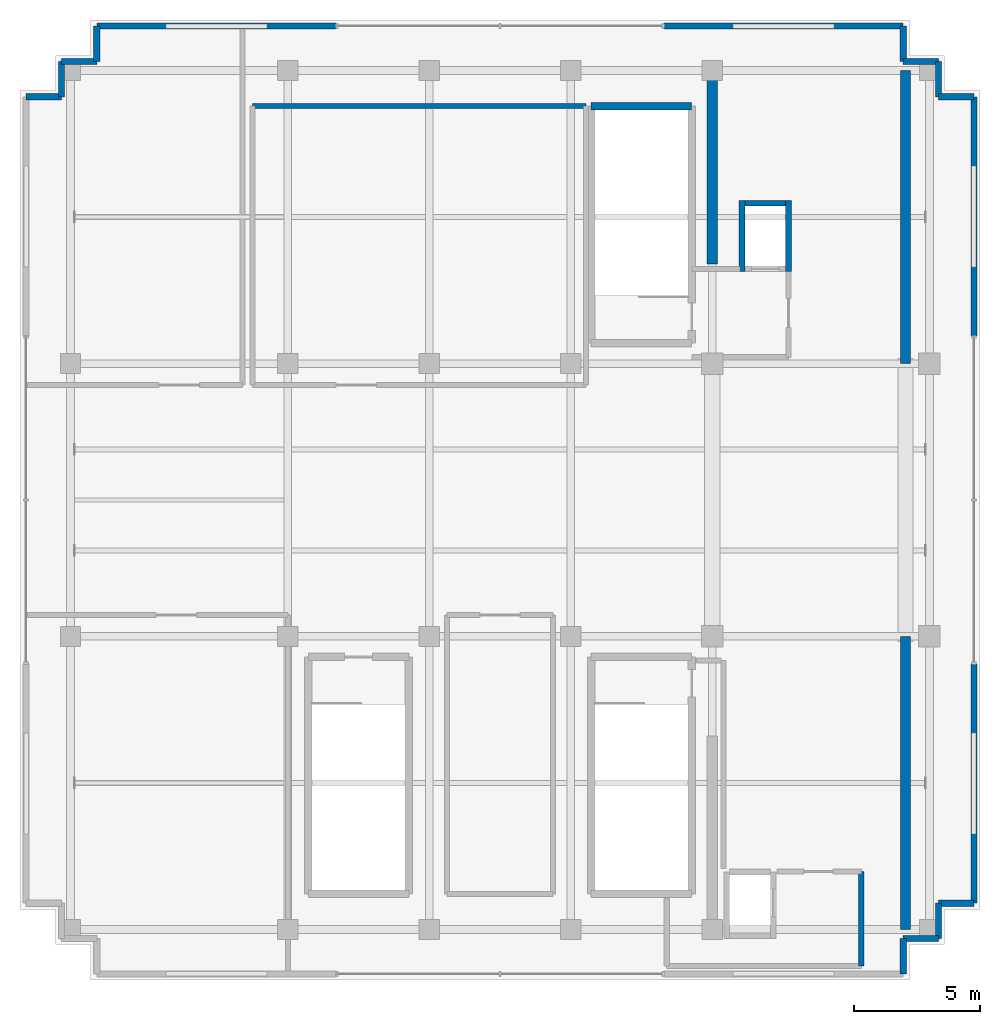
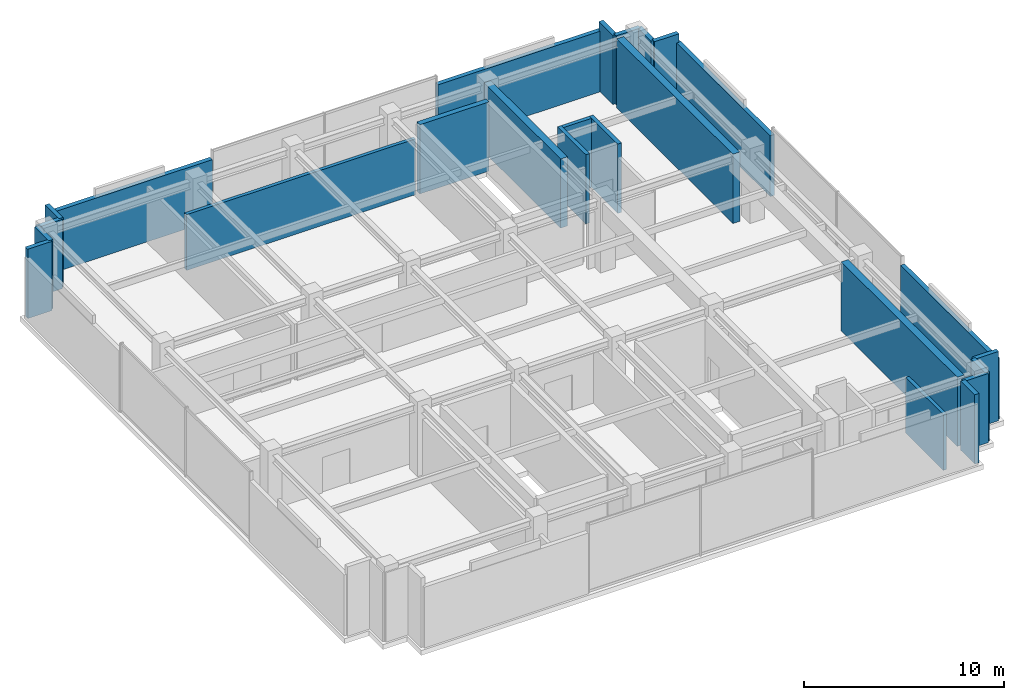
# One storey, part 20 of 21: 25 walls.
"""IFC4 building model written with IfcOpenShell, lengths in metres."""

from ifc_helpers import new_model, si_unit, direction, frame, frame_2d, origin, place, context, subcontext, project, spatial, rectangle, extrude, source, transform, mapped, material, layer, layer_set, type_object, element, save


model = new_model("IFC4")

# Units and contexts
model_context = context("Model", 3, precision=1e-05, world=origin(), true_north=direction((0.0, 1.0)))
body_context = subcontext(model_context, "Body", "Model", "MODEL_VIEW")
ifc_project = project(units=[si_unit("LENGTHUNIT", "METRE"), si_unit("AREAUNIT", "SQUARE_METRE"), si_unit("VOLUMEUNIT", "CUBIC_METRE"), si_unit("PLANEANGLEUNIT", "RADIAN"), si_unit("MASSUNIT", "GRAM", prefix="KILO")], contexts=[model_context])

# Site, building, storey
site_placement = place(None, origin())
site = spatial("IfcSite", under=ifc_project, at=site_placement, CompositionType="ELEMENT")
building_placement = place(site_placement, origin())
building = spatial("IfcBuilding", under=site, at=building_placement, Name="Nahalor Promenade Grand Hotel", CompositionType="ELEMENT")
storey_placement = place(building_placement, frame((0.0, 0.0, 370.85009765625)))
storey = spatial("IfcBuildingStorey", under=building, at=storey_placement, Name="L94", CompositionType="ELEMENT", Elevation=370.85009765625)

# Walls
ifc_material_1 = material(Name="Concrete B-50 (C40/50)", Category="concrete")
ifc_layer_1 = layer(ifc_material_1, 0.39990234375)
ifc_layer_set_1 = layer_set([ifc_layer_1], Name="Concrete B-50 (C40/50)")
wall_type_1 = type_object("IfcWallType", Name="Wall-CoreShear-400", PredefinedType="SHEAR", material=ifc_layer_set_1)
shared_shape_1 = source(origin(), body_context, "Body", "SweptSolid", [
    extrude(rectangle(XDim=7.64990234375, YDim=0.39990234375, at=frame_2d((3.824951171875, 0.0))), origin(), (0.0, 0.0, 1.0), 4.219970703125),
])
wall_1_placement = place(storey_placement, frame((8.39990234375, 9.35009765625, 0.0), z_axis=(0.0, 0.0, 1.0), x_axis=(0.0, 1.0, 0.0)))
element("IfcWall", 1, at=wall_1_placement, inside=storey, type_object=wall_type_1, Name="CWALL-L94-NW", PredefinedType="SHEAR", context=body_context, shape_type="MappedRepresentation", body=[
    mapped(shared_shape_1, transform((0.0, 0.0, 0.0), scale=1.0)),
])
shared_shape_2 = source(origin(), body_context, "Body", "SweptSolid", [
    extrude(rectangle(XDim=11.60009765625, YDim=0.39990234375, at=frame_2d((5.800048828125, 0.0))), origin(), (0.0, 0.0, 1.0), 4.219970703125),
])
for number, where, z_axis, x_axis, name in (
    (2, (16.050048828125, 5.39990234375, 0.0), (0.0, 0.0, 1.0), (0.0, 1.0, 0.0), "CWALL-L94-NE"),
    (3, (16.050048828125, -17.0, 0.0), (0.0, 0.0, 1.0), (0.0, 1.0, 0.0), "CWALL-L94-SE"),
):
    element("IfcWall", number, at=place(storey_placement, frame(where, z_axis=z_axis, x_axis=x_axis)), inside=storey, type_object=wall_type_1, Name=name, PredefinedType="SHEAR", context=body_context, shape_type="MappedRepresentation", body=[
        mapped(shared_shape_2, transform((0.0, 0.0, 0.0), scale=1.0)),
    ])
ifc_layer_2 = layer(ifc_material_1, 0.300048828125)
ifc_layer_set_2 = layer_set([ifc_layer_2], Name="Concrete B-50 (C40/50)")
wall_type_2 = type_object("IfcWallType", Name="Wall-ShaftShear-300", PredefinedType="SHEAR", material=ifc_layer_set_2)
shared_shape_3 = source(origin(), body_context, "Body", "SweptSolid", [
    extrude(rectangle(XDim=3.97998046875, YDim=0.300048828125, at=frame_2d((1.989990234375, 0.0))), origin(), (0.0, 0.0, 1.0), 4.219970703125),
])
wall_2_placement = place(storey_placement, frame((3.610107421875, 15.590087890625, 0.0), z_axis=(0.0, 0.0, 1.0), x_axis=(1.0, 0.0, 0.0)))
element("IfcWall", 4, at=wall_2_placement, inside=storey, type_object=wall_type_2, Name="L94 Exit Stair ST1 Shaft Wall N", PredefinedType="SHEAR", context=body_context, shape_type="MappedRepresentation", body=[
    mapped(shared_shape_3, transform((0.0, 0.0, 0.0), scale=1.0)),
])
ifc_layer_3 = layer(ifc_material_1, 0.219970703125)
ifc_layer_set_3 = layer_set([ifc_layer_3], Name="Concrete B-50 (C40/50)")
wall_type_3 = type_object("IfcWallType", Name="Wall-LiftShaft-220", PredefinedType="SHEAR", material=ifc_layer_set_3)
shared_shape_4 = source(origin(), body_context, "Body", "SweptSolid", [
    extrude(rectangle(XDim=2.820068359375, YDim=0.219970703125, at=frame_2d((1.41015625, 0.0))), origin(), (0.0, 0.0, 1.0), 4.219970703125),
])
for number, where, z_axis, x_axis, name in (
    (5, (9.580078125, 9.0400390625, 0.0), (0.0, 0.0, 1.0), (0.0, 1.0, 0.0), "L94 Lift FL1 Hoistway Wall W"),
    (6, (11.419921875, 9.0400390625, 0.0), (0.0, 0.0, 1.0), (0.0, 1.0, 0.0), "L94 Lift FL1 Hoistway Wall E"),
):
    element("IfcWall", number, at=place(storey_placement, frame(where, z_axis=z_axis, x_axis=x_axis)), inside=storey, type_object=wall_type_3, Name=name, PredefinedType="SHEAR", context=body_context, shape_type="MappedRepresentation", body=[
        mapped(shared_shape_4, transform((0.0, 0.0, 0.0), scale=1.0)),
    ])
shared_shape_5 = source(origin(), body_context, "Body", "SweptSolid", [
    extrude(rectangle(XDim=1.6201171875, YDim=0.219970703125, at=frame_2d((0.81005859375, 0.0))), origin(), (0.0, 0.0, 1.0), 4.219970703125),
])
wall_3_placement = place(storey_placement, frame((9.68994140625, 11.75, 0.0), z_axis=(0.0, 0.0, 1.0), x_axis=(1.0, 0.0, 0.0)))
element("IfcWall", 7, at=wall_3_placement, inside=storey, type_object=wall_type_3, Name="L94 Lift FL1 Hoistway Wall N", PredefinedType="SHEAR", context=body_context, shape_type="MappedRepresentation", body=[
    mapped(shared_shape_5, transform((0.0, 0.0, 0.0), scale=1.0)),
])
ifc_material_2 = material(Name="Concrete B-40 (C32/40)", Category="concrete")
ifc_layer_4 = layer(ifc_material_2, 0.25)
ifc_layer_set_4 = layer_set([ifc_layer_4], Name="Concrete B-40 (C32/40)")
wall_type_4 = type_object("IfcWallType", Name="Wall-BronzePier-250", PredefinedType="STANDARD", material=ifc_layer_set_4)
shared_shape_6 = source(origin(), body_context, "Body", "SweptSolid", [
    extrude(rectangle(XDim=1.39990234375, YDim=0.25, at=frame_2d((0.699951171875, 0.0))), origin(), (0.0, 0.0, 1.0), 4.219970703125),
])
for number, where, z_axis, x_axis, name in (
    (8, (15.9599609375, -18.760009765625, 0.0), (0.0, 0.0, 1.0), (0.0, 1.0, 0.0), "W-L94-SR-01"),
    (9, (17.360107421875, -15.9599609375, 0.0), (0.0, 0.0, 1.0), (1.0, 0.0, 0.0), "W-L94-SR-04"),
    (10, (17.360107421875, 15.9599609375, 0.0), (0.0, 0.0, 1.0), (1.0, 0.0, 0.0), "W-L94-SR-05"),
    (11, (15.9599609375, 17.360107421875, 0.0), (0.0, 0.0, 1.0), (0.0, 1.0, 0.0), "W-L94-SR-08"),
    (12, (-15.9599609375, 17.360107421875, 0.0), (0.0, 0.0, 1.0), (0.0, 1.0, 0.0), "W-L94-SR-09"),
    (13, (-18.760009765625, 15.9599609375, 0.0), (0.0, 0.0, 1.0), (1.0, 0.0, 0.0), "W-L94-SR-12"),
):
    element("IfcWall", number, at=place(storey_placement, frame(where, z_axis=z_axis, x_axis=x_axis)), inside=storey, type_object=wall_type_4, Name=name, PredefinedType="STANDARD", context=body_context, shape_type="MappedRepresentation", body=[
        mapped(shared_shape_6, transform((0.0, 0.0, 0.0), scale=1.0)),
    ])
shared_shape_7 = source(origin(), body_context, "Body", "SweptSolid", [
    extrude(rectangle(XDim=1.400146484375, YDim=0.25, at=frame_2d((0.7001953125, 0.0))), origin(), (0.0, 0.0, 1.0), 4.219970703125),
])
for number, where, z_axis, x_axis, name in (
    (14, (15.9599609375, -17.360107421875, 0.0), (0.0, 0.0, 1.0), (1.0, 0.0, 0.0), "W-L94-SR-02"),
    (15, (17.360107421875, -17.360107421875, 0.0), (0.0, 0.0, 1.0), (0.0, 1.0, 0.0), "W-L94-SR-03"),
    (16, (17.360107421875, 15.9599609375, 0.0), (0.0, 0.0, 1.0), (0.0, 1.0, 0.0), "W-L94-SR-06"),
    (17, (15.9599609375, 17.360107421875, 0.0), (0.0, 0.0, 1.0), (1.0, 0.0, 0.0), "W-L94-SR-07"),
    (18, (-17.360107421875, 17.360107421875, 0.0), (0.0, 0.0, 1.0), (1.0, 0.0, 0.0), "W-L94-SR-10"),
    (19, (-17.360107421875, 15.9599609375, 0.0), (0.0, 0.0, 1.0), (0.0, 1.0, 0.0), "W-L94-SR-11"),
):
    element("IfcWall", number, at=place(storey_placement, frame(where, z_axis=z_axis, x_axis=x_axis)), inside=storey, type_object=wall_type_4, Name=name, PredefinedType="STANDARD", context=body_context, shape_type="MappedRepresentation", body=[
        mapped(shared_shape_7, transform((0.0, 0.0, 0.0), scale=1.0)),
    ])
shared_shape_8 = source(origin(), body_context, "Body", "SweptSolid", [
    extrude(rectangle(XDim=9.4599609375, YDim=0.25, at=frame_2d((4.72998046875, 0.0))), origin(), (0.0, 0.0, 1.0), 3.699951171875),
])
for number, where, z_axis, x_axis, name in (
    (20, (-15.9599609375, 18.760009765625, 0.0), (0.0, 0.0, 1.0), (1.0, 0.0, 0.0), "W-L94-PL-NL"),
    (21, (6.5, 18.760009765625, 0.0), (0.0, 0.0, 1.0), (1.0, 0.0, 0.0), "W-L94-PL-NR"),
    (22, (18.760009765625, -15.9599609375, 0.0), (0.0, 0.0, 1.0), (0.0, 1.0, 0.0), "W-L94-PL-EL"),
    (23, (18.760009765625, 6.5, 0.0), (0.0, 0.0, 1.0), (0.0, 1.0, 0.0), "W-L94-PL-ER"),
):
    element("IfcWall", number, at=place(storey_placement, frame(where, z_axis=z_axis, x_axis=x_axis)), inside=storey, type_object=wall_type_4, Name=name, PredefinedType="STANDARD", context=body_context, shape_type="MappedRepresentation", body=[
        mapped(shared_shape_8, transform((0.0, 0.0, 0.0), scale=1.0)),
    ])
ifc_layer_5 = layer(ifc_material_2, 0.199951171875)
ifc_layer_set_5 = layer_set([ifc_layer_5], Name="Concrete B-40 (C32/40)")
wall_type_5 = type_object("IfcWallType", Name="Wall-PartFire-200", PredefinedType="PARTITIONING", material=ifc_layer_set_5)
shared_shape_9 = source(origin(), body_context, "Body", "SweptSolid", [
    extrude(rectangle(XDim=3.75, YDim=0.199951171875, at=frame_2d((1.875, 0.0))), origin(), (0.0, 0.0, 1.0), 3.39990234375),
])
wall_4_placement = place(storey_placement, frame((14.300048828125, -18.449951171875, 0.0), z_axis=(0.0, 0.0, 1.0), x_axis=(0.0, 1.0, 0.0)))
element("IfcWall", 24, at=wall_4_placement, inside=storey, type_object=wall_type_5, Name="W-L94-FF2-E", PredefinedType="PARTITIONING", context=body_context, shape_type="MappedRepresentation", body=[
    mapped(shared_shape_9, transform((0.0, 0.0, 0.0), scale=1.0)),
])
shared_shape_10 = source(origin(), body_context, "Body", "SweptSolid", [
    extrude(rectangle(XDim=13.199951171875, YDim=0.199951171875, at=frame_2d((6.60009765625, 0.0))), origin(), (0.0, 0.0, 1.0), 3.39990234375),
])
wall_5_placement = place(storey_placement, frame((-9.800048828125, 15.60009765625, 0.0), z_axis=(0.0, 0.0, 1.0), x_axis=(1.0, 0.0, 0.0)))
element("IfcWall", 25, at=wall_5_placement, inside=storey, type_object=wall_type_5, Name="W-L94-MP2-N", PredefinedType="PARTITIONING", context=body_context, shape_type="MappedRepresentation", body=[
    mapped(shared_shape_10, transform((0.0, 0.0, 0.0), scale=1.0)),
])

save(model, "model.ifc")
